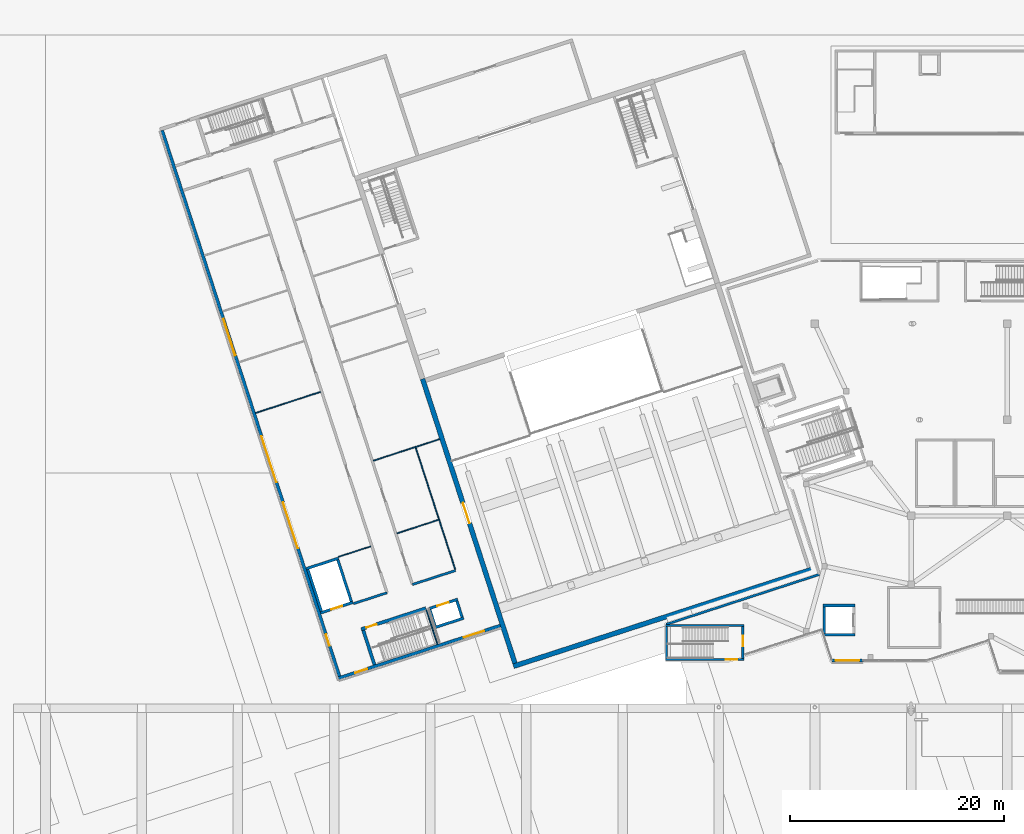
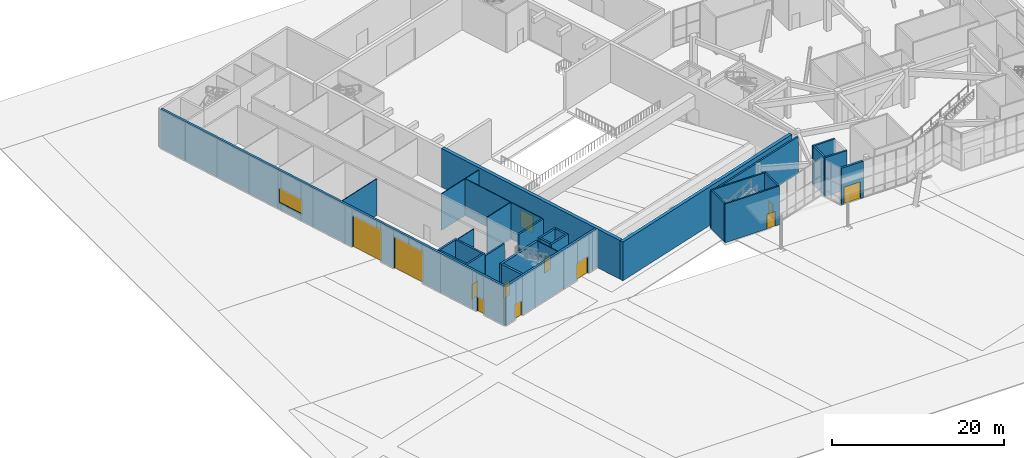
# One storey, part 51 of 72: 32 walls, 12 doors, 1 window, 13 openings.
"""IFC4 building model written with IfcOpenShell, lengths in metres."""

from ifc_helpers import new_model, si_unit, direction, frame, frame_2d, origin, place, context, subcontext, project, spatial, rectangle, extrude, material, layer, layer_set, type_object, element, fill, save


model = new_model("IFC4")

# Units and contexts
model_context = context("Model", 3, precision=1e-05, world=origin(), true_north=direction((0.0, 1.0)))
body_context = subcontext(model_context, "Body", "Model", "MODEL_VIEW")
ifc_project = project(units=[si_unit("LENGTHUNIT", "METRE"), si_unit("AREAUNIT", "SQUARE_METRE"), si_unit("VOLUMEUNIT", "CUBIC_METRE"), si_unit("PLANEANGLEUNIT", "RADIAN"), si_unit("MASSUNIT", "GRAM", prefix="KILO")], contexts=[model_context])

# Site, building, storey
site_placement = place(None, origin())
site = spatial("IfcSite", under=ifc_project, at=site_placement, CompositionType="ELEMENT")
building_placement = place(site_placement, origin())
building = spatial("IfcBuilding", under=site, at=building_placement, Name="Tuart Plaza Theatre", CompositionType="ELEMENT")
storey_placement = place(building_placement, origin())
storey = spatial("IfcBuildingStorey", under=building, at=storey_placement, Name="L00", CompositionType="ELEMENT", Elevation=0.0)

# Walls
ifc_material_1 = material(Name="Plasterboard on steel stud", Category="steel")
ifc_layer_1 = layer(ifc_material_1, 0.10009765625)
ifc_layer_set_1 = layer_set([ifc_layer_1], Name="PARTITION STD100")
wall_type_1 = type_object("IfcWallType", Name="PARTITION STD100", PredefinedType="PARTITIONING", material=ifc_layer_set_1)
wall_1_placement = place(storey_placement, frame((33.395751953125, 52.16650390625, 0.0), z_axis=(0.0, 0.0, 1.0), x_axis=(0.951044192343, 0.309054921027, 0.0)))
element("IfcWall", 1, at=wall_1_placement, inside=storey, type_object=wall_type_1, Name="P216", PredefinedType="PARTITIONING", context=body_context, shape_type="SweptSolid", body=[
    extrude(rectangle(XDim=3.18994140625, YDim=0.10009765625, at=frame_2d((1.594970703125, 0.0))), origin(), (0.0, 0.0, 1.0), 5.199951171875),
])
wall_2_placement = place(storey_placement, frame((38.892822265625, 54.373291015625, 0.0), z_axis=(0.0, 0.0, 1.0), x_axis=(0.951055560564, 0.309019935796, 0.0)))
element("IfcWall", 2, at=wall_2_placement, inside=storey, type_object=wall_type_1, Name="P217", PredefinedType="PARTITIONING", context=body_context, shape_type="SweptSolid", body=[
    extrude(rectangle(XDim=4.090087890625, YDim=0.10009765625, at=frame_2d((2.044921875, 0.0))), origin(), (0.0, 0.0, 1.0), 5.199951171875),
])
wall_3_placement = place(storey_placement, frame((36.683349609375, 61.17333984375, 0.0), z_axis=(0.0, 0.0, 1.0), x_axis=(0.95105616864, 0.309018064344, 0.0)))
element("IfcWall", 3, at=wall_3_placement, inside=storey, type_object=wall_type_1, Name="P218", PredefinedType="PARTITIONING", context=body_context, shape_type="SweptSolid", body=[
    extrude(rectangle(XDim=4.139892578125, YDim=0.10009765625, at=frame_2d((2.06982421875, 0.0))), origin(), (0.0, 0.0, 1.0), 5.199951171875),
])
wall_4_placement = place(storey_placement, frame((25.6552734375, 65.6337890625, 0.0), z_axis=(0.0, 0.0, 1.0), x_axis=(0.951055405517, 0.309020412977, 0.0)))
element("IfcWall", 4, at=wall_4_placement, inside=storey, type_object=wall_type_1, Name="P220", PredefinedType="PARTITIONING", context=body_context, shape_type="SweptSolid", body=[
    extrude(rectangle(XDim=6.389892578125, YDim=0.10009765625, at=frame_2d((3.19482421875, 0.0))), origin(), (0.0, 0.0, 1.0), 5.199951171875),
])
ifc_material_2 = material(Name="Plasterboard on steel stud", Category="steel")
ifc_layer_2 = layer(ifc_material_2, 0.10009765625)
ifc_layer_set_2 = layer_set([ifc_layer_2], Name="PARTITION STD100 FRL 120/-/-")
wall_type_2 = type_object("IfcWallType", Name="PARTITION STD100 FRL 120/-/-", PredefinedType="PARTITIONING", material=ifc_layer_set_2)
wall_5_placement = place(storey_placement, frame((40.62060546875, 62.45263671875, 0.0), z_axis=(0.0, 0.0, 1.0), x_axis=(0.951061260164, 0.309002393867, 0.0)))
element("IfcWall", 5, at=wall_5_placement, inside=storey, type_object=wall_type_2, Name="P219", PredefinedType="PARTITIONING", context=body_context, shape_type="SweptSolid", body=[
    extrude(rectangle(XDim=2.375, YDim=0.10009765625, at=frame_2d((1.1875, 0.0))), origin(), (0.0, 0.0, 1.0), 5.199951171875),
])
wall_6_placement = place(storey_placement, frame((44.34130859375, 51.001953125, 0.0), z_axis=(0.0, 0.0, 1.0), x_axis=(-0.309016547708, 0.951056661426, 0.0)))
element("IfcWall", 6, at=wall_6_placement, inside=storey, type_object=wall_type_2, Name="P231", PredefinedType="PARTITIONING", context=body_context, shape_type="SweptSolid", body=[
    extrude(rectangle(XDim=11.989990234375, YDim=0.10009765625, at=frame_2d((5.9951171875, 0.0))), origin(), (0.0, 0.0, 1.0), 5.199951171875),
])
ifc_material_3 = material(Name="Plasterboard on steel stud", Category="steel")
ifc_layer_3 = layer(ifc_material_3, 0.10009765625)
ifc_layer_set_3 = layer_set([ifc_layer_3], Name="PARTITION STD100 FRL 120/120/120")
wall_type_3 = type_object("IfcWallType", Name="PARTITION STD100 FRL 120/120/120", PredefinedType="PARTITIONING", material=ifc_layer_set_3)
wall_7_placement = place(storey_placement, frame((42.678466796875, 43.984619140625, 0.0), z_axis=(0.0, 0.0, 1.0), x_axis=(-0.309045481752, 0.951047259714, 0.0)))
element("IfcWall", 7, at=wall_7_placement, inside=storey, type_object=wall_type_3, Name="P228", PredefinedType="PARTITIONING", context=body_context, shape_type="SweptSolid", body=[
    extrude(rectangle(XDim=3.400146484375, YDim=0.10009765625, at=frame_2d((1.7001953125, 0.0))), origin(), (0.0, 0.0, 1.0), 5.199951171875),
])
ifc_material_4 = material(Name="Concrete N40 (40 MPa)", Category="concrete")
ifc_layer_4 = layer(ifc_material_4, 0.199951171875)
ifc_layer_set_4 = layer_set([ifc_layer_4], Name="SHEAR WALL RC200 FRL 120/120/120")
wall_type_4 = type_object("IfcWallType", Name="SHEAR WALL RC200 FRL 120/120/120", PredefinedType="SHEAR", material=ifc_layer_set_4)
wall_8_placement = place(storey_placement, frame((71.35009765625, 45.75, 0.0), z_axis=(0.0, 0.0, 1.0), x_axis=(-1.0, 0.0, 0.0)))
element("IfcWall", 8, at=wall_8_placement, inside=storey, type_object=wall_type_4, Name="W251", PredefinedType="SHEAR", context=body_context, shape_type="SweptSolid", body=[
    extrude(rectangle(XDim=7.35009765625, YDim=0.199951171875, at=frame_2d((3.675048828125, 0.0))), origin(), (0.0, 0.0, 1.0), 5.5),
])
wall_9_placement = place(storey_placement, frame((64.10009765625, 45.64990234375, 0.0), z_axis=(0.0, 0.0, 1.0), x_axis=(0.0, -1.0, 0.0)))
element("IfcWall", 9, at=wall_9_placement, inside=storey, type_object=wall_type_4, Name="W252", PredefinedType="SHEAR", context=body_context, shape_type="SweptSolid", body=[
    extrude(rectangle(XDim=3.0, YDim=0.199951171875, at=frame_2d((1.5, 0.0))), origin(), (0.0, 0.0, 1.0), 5.5),
])

# Wall, opening, door
wall_10_placement = place(storey_placement, frame((71.25, 42.64990234375, 0.0), z_axis=(0.0, 0.0, 1.0), x_axis=(0.0, 1.0, 0.0)))
wall_10 = element("IfcWall", 10, at=wall_10_placement, inside=storey, type_object=wall_type_4, Name="W253", PredefinedType="SHEAR", context=body_context, shape_type="SweptSolid", body=[
    extrude(rectangle(XDim=3.0, YDim=0.199951171875, at=frame_2d((1.5, 0.0))), origin(), (0.0, 0.0, 1.0), 5.5),
])
opening_1_placement = place(wall_10_placement, frame((1.14990234375, 0.0, 0.0)))
opening_1 = element("IfcOpeningElement", 11, at=opening_1_placement, cuts=wall_10, Name="Opening L00-058", PredefinedType="OPENING", context=body_context, shape_type="SweptSolid", body=[
    extrude(rectangle(XDim=1.0, YDim=2.10009765625, at=frame_2d((0.5, 1.050048828125))), frame((0.0, 0.10986328125, 0.0), z_axis=(0.0, -1.0, 0.0), x_axis=(1.0, 0.0, 0.0)), (0.0, 0.0, 1.0), 0.219970703125),
])
ifc_material_5 = material(Name="Steel Grade 300", Category="steel")
door_type_1 = type_object("IfcDoorType", Name="DOOR 1000x2100 steel single swing FRL -/120/30", OperationType="SINGLE_SWING_LEFT", PredefinedType="DOOR", material=ifc_material_5)
door_1_placement = place(opening_1_placement, origin())
door_1 = element("IfcDoor", 12, at=door_1_placement, inside=storey, type_object=door_type_1, Name="L00-058", OperationType="SINGLE_SWING_LEFT", OverallHeight=2.10009765625, OverallWidth=1.0, PredefinedType="DOOR", context=body_context, shape_type="SweptSolid", body=[
    extrude(rectangle(XDim=1.0, YDim=2.10009765625, at=frame_2d((0.5, 1.050048828125))), frame((0.0, 0.02490234375, 0.0), z_axis=(0.0, -1.0, 0.0), x_axis=(1.0, 0.0, 0.0)), (0.0, 0.0, 1.0), 0.050048828125),
])
fill(opening_1, door_1)

ifc_material_6 = material(Name="Concrete N40 (40 MPa)", Category="concrete")
ifc_layer_5 = layer(ifc_material_6, 0.199951171875)
ifc_layer_set_5 = layer_set([ifc_layer_5], Name="SHEAR WALL RC200 FRL 120/120/120 EXT")
wall_type_5 = type_object("IfcWallType", Name="SHEAR WALL RC200 FRL 120/120/120 EXT", PredefinedType="SHEAR", material=ifc_layer_set_5)
wall_11_placement = place(storey_placement, frame((64.0, 42.550048828125, 0.0), z_axis=(0.0, 0.0, 1.0), x_axis=(1.0, 0.0, 0.0)))
wall_11 = element("IfcWall", 13, at=wall_11_placement, inside=storey, type_object=wall_type_5, Name="W250", PredefinedType="SHEAR", context=body_context, shape_type="SweptSolid", body=[
    extrude(rectangle(XDim=7.35009765625, YDim=0.199951171875, at=frame_2d((3.675048828125, 0.0))), origin(), (0.0, 0.0, 1.0), 5.5),
])
opening_2_placement = place(wall_11_placement, frame((5.64990234375, 0.0, 0.0)))
opening_2 = element("IfcOpeningElement", 14, at=opening_2_placement, cuts=wall_11, Name="Opening L00-059", PredefinedType="OPENING", context=body_context, shape_type="SweptSolid", body=[
    extrude(rectangle(XDim=1.10009765625, YDim=2.10009765625, at=frame_2d((0.550048828125, 1.050048828125))), frame((0.0, 0.10986328125, 0.0), z_axis=(0.0, -1.0, 0.0), x_axis=(1.0, 0.0, 0.0)), (0.0, 0.0, 1.0), 0.219970703125),
])
ifc_material_7 = material(Name="Steel Grade 300", Category="steel")
door_type_2 = type_object("IfcDoorType", Name="DOOR 1100x2100 steel single swing FRL -/120/30", OperationType="SINGLE_SWING_LEFT", PredefinedType="DOOR", material=ifc_material_7)
door_2_placement = place(opening_2_placement, frame((1.10009765625, 0.0, 0.0), z_axis=(0.0, 0.0, 1.0), x_axis=(-1.0, 0.0, 0.0)))
door_2 = element("IfcDoor", 15, at=door_2_placement, inside=storey, type_object=door_type_2, Name="L00-059", OperationType="SINGLE_SWING_RIGHT", OverallHeight=2.10009765625, OverallWidth=1.10009765625, PredefinedType="DOOR", context=body_context, shape_type="SweptSolid", body=[
    extrude(rectangle(XDim=1.10009765625, YDim=2.10009765625, at=frame_2d((0.550048828125, 1.050048828125))), frame((0.0, 0.02490234375, 0.0), z_axis=(0.0, -1.0, 0.0), x_axis=(1.0, 0.0, 0.0)), (0.0, 0.0, 1.0), 0.050048828125),
])
fill(opening_2, door_2)

# Walls
ifc_material_8 = material(Name="Concrete N40 (40 MPa)", Category="concrete")
ifc_layer_6 = layer(ifc_material_8, 0.25)
ifc_layer_set_6 = layer_set([ifc_layer_6], Name="SHEAR WALL RC250 FRL 120/120/120")
wall_type_6 = type_object("IfcWallType", Name="SHEAR WALL RC250 FRL 120/120/120", PredefinedType="SHEAR", material=ifc_layer_set_6)
wall_12_placement = place(storey_placement, frame((42.3818359375, 45.54443359375, 0.0), z_axis=(0.0, 0.0, 1.0), x_axis=(0.951071801089, 0.308969948659, 0.0)))
element("IfcWall", 16, at=wall_12_placement, inside=storey, type_object=wall_type_6, Name="W172", PredefinedType="SHEAR", context=body_context, shape_type="SweptSolid", body=[
    extrude(rectangle(XDim=2.89990234375, YDim=0.25, at=frame_2d((1.449951171875, 0.0))), origin(), (0.0, 0.0, 1.0), 5.5),
])
wall_13_placement = place(storey_placement, frame((44.982421875, 46.520751953125, 0.0), z_axis=(0.0, 0.0, 1.0), x_axis=(-0.308986014439, 0.951066581729, 0.0)))
element("IfcWall", 17, at=wall_13_placement, inside=storey, type_object=wall_type_6, Name="W173", PredefinedType="SHEAR", context=body_context, shape_type="SweptSolid", body=[
    extrude(rectangle(XDim=1.60009765625, YDim=0.25, at=frame_2d((0.800048828125, 0.0))), origin(), (0.0, 0.0, 1.0), 5.5),
])

# Wall, opening, door
wall_14_placement = place(storey_placement, frame((44.568359375, 48.199951171875, 0.0), z_axis=(0.0, 0.0, 1.0), x_axis=(-0.951047059821, -0.309046096893, 0.0)))
wall_14 = element("IfcWall", 18, at=wall_14_placement, inside=storey, type_object=wall_type_6, Name="W174", PredefinedType="SHEAR", context=body_context, shape_type="SweptSolid", body=[
    extrude(rectangle(XDim=2.89990234375, YDim=0.25, at=frame_2d((1.449951171875, 0.0))), origin(), (0.0, 0.0, 1.0), 5.5),
])
opening_3_placement = place(wall_14_placement, frame((0.89990234375, 0.0, 0.0)))
opening_3 = element("IfcOpeningElement", 19, at=opening_3_placement, cuts=wall_14, Name="Opening L00-001", PredefinedType="OPENING", context=body_context, shape_type="SweptSolid", body=[
    extrude(rectangle(XDim=1.10009765625, YDim=2.10009765625, at=frame_2d((0.550048828125, 1.050048828125))), frame((0.0, 0.135009765625, 0.0), z_axis=(0.0, -1.0, 0.0), x_axis=(1.0, 0.0, 0.0)), (0.0, 0.0, 1.0), 0.27001953125),
])
ifc_material_9 = material(Name="Steel Grade 300", Category="steel")
door_type_3 = type_object("IfcDoorType", Name="LANDING DOOR 1100x2100 steel sliding FRL -/120/30", OperationType="SLIDING_TO_LEFT", PredefinedType="DOOR", material=ifc_material_9)
door_3_placement = place(opening_3_placement, origin())
door_3 = element("IfcDoor", 20, at=door_3_placement, inside=storey, type_object=door_type_3, Name="L00-001", OperationType="SLIDING_TO_LEFT", OverallHeight=2.10009765625, OverallWidth=1.10009765625, PredefinedType="DOOR", context=body_context, shape_type="SweptSolid", body=[
    extrude(rectangle(XDim=1.10009765625, YDim=2.10009765625, at=frame_2d((0.550048828125, 1.050048828125))), frame((0.0, 0.02490234375, 0.0), z_axis=(0.0, -1.0, 0.0), x_axis=(1.0, 0.0, 0.0)), (0.0, 0.0, 1.0), 0.050048828125),
])
fill(opening_3, door_3)

# Wall
wall_15_placement = place(storey_placement, frame((41.9677734375, 47.2236328125, 0.0), z_axis=(0.0, 0.0, 1.0), x_axis=(0.308986014439, -0.951066581729, 0.0)))
element("IfcWall", 21, at=wall_15_placement, inside=storey, type_object=wall_type_6, Name="W175", PredefinedType="SHEAR", context=body_context, shape_type="SweptSolid", body=[
    extrude(rectangle(XDim=1.60009765625, YDim=0.25, at=frame_2d((0.800048828125, 0.0))), origin(), (0.0, 0.0, 1.0), 5.5),
])

# Wall, opening, door
wall_16_placement = place(storey_placement, frame((31.735107421875, 46.921630859375, 0.0), z_axis=(0.0, 0.0, 1.0), x_axis=(0.95104415986, 0.309055020985, 0.0)))
wall_16 = element("IfcWall", 22, at=wall_16_placement, inside=storey, type_object=wall_type_6, Name="W204", PredefinedType="SHEAR", context=body_context, shape_type="SweptSolid", body=[
    extrude(rectangle(XDim=3.2001953125, YDim=0.25, at=frame_2d((1.60009765625, 0.0))), origin(), (0.0, 0.0, 1.0), 5.5),
])
opening_4_placement = place(wall_16_placement, frame((1.050048828125, 0.0, 0.0)))
opening_4 = element("IfcOpeningElement", 23, at=opening_4_placement, cuts=wall_16, Name="Opening L00-002", PredefinedType="OPENING", context=body_context, shape_type="SweptSolid", body=[
    extrude(rectangle(XDim=1.10009765625, YDim=2.10009765625, at=frame_2d((0.550048828125, 1.050048828125))), frame((0.0, 0.135009765625, 0.0), z_axis=(0.0, -1.0, 0.0), x_axis=(1.0, 0.0, 0.0)), (0.0, 0.0, 1.0), 0.27001953125),
])
door_4_placement = place(opening_4_placement, origin())
door_4 = element("IfcDoor", 24, at=door_4_placement, inside=storey, type_object=door_type_3, Name="L00-002", OperationType="SLIDING_TO_LEFT", OverallHeight=2.10009765625, OverallWidth=1.10009765625, PredefinedType="DOOR", context=body_context, shape_type="SweptSolid", body=[
    extrude(rectangle(XDim=1.10009765625, YDim=2.10009765625, at=frame_2d((0.550048828125, 1.050048828125))), frame((0.0, 0.02490234375, 0.0), z_axis=(0.0, -1.0, 0.0), x_axis=(1.0, 0.0, 0.0)), (0.0, 0.0, 1.0), 0.050048828125),
])
fill(opening_4, door_4)

# Walls
wall_17_placement = place(storey_placement, frame((34.62109375, 47.990966796875, 0.0), z_axis=(0.0, 0.0, 1.0), x_axis=(-0.309055103076, 0.951044133184, 0.0)))
element("IfcWall", 25, at=wall_17_placement, inside=storey, type_object=wall_type_6, Name="W205", PredefinedType="SHEAR", context=body_context, shape_type="SweptSolid", body=[
    extrude(rectangle(XDim=4.099853515625, YDim=0.25, at=frame_2d((2.0498046875, 0.0))), origin(), (0.0, 0.0, 1.0), 5.5),
])
wall_18_placement = place(storey_placement, frame((33.434326171875, 52.047607421875, 0.0), z_axis=(0.0, 0.0, 1.0), x_axis=(-0.951066581729, -0.308986014439, 0.0)))
element("IfcWall", 26, at=wall_18_placement, inside=storey, type_object=wall_type_6, Name="W206", PredefinedType="SHEAR", context=body_context, shape_type="SweptSolid", body=[
    extrude(rectangle(XDim=3.199951171875, YDim=0.25, at=frame_2d((1.60009765625, 0.0))), origin(), (0.0, 0.0, 1.0), 5.5),
])
wall_19_placement = place(storey_placement, frame((30.54833984375, 50.978515625, 0.0), z_axis=(0.0, 0.0, 1.0), x_axis=(0.309055103076, -0.951044133184, 0.0)))
element("IfcWall", 27, at=wall_19_placement, inside=storey, type_object=wall_type_6, Name="W207", PredefinedType="SHEAR", context=body_context, shape_type="SweptSolid", body=[
    extrude(rectangle(XDim=4.099853515625, YDim=0.25, at=frame_2d((2.0498046875, 0.0))), origin(), (0.0, 0.0, 1.0), 5.5),
])
for number, where, z_axis, x_axis, name in (
    (28, (78.75, 44.875, 0.0), (0.0, 0.0, 1.0), (1.0, 0.0, 0.0), "W275"),
    (29, (81.75, 47.625, 0.0), (0.0, 0.0, 1.0), (-1.0, 0.0, 0.0), "W277"),
):
    element("IfcWall", number, at=place(storey_placement, frame(where, z_axis=z_axis, x_axis=x_axis)), inside=storey, type_object=wall_type_6, Name=name, PredefinedType="SHEAR", context=body_context, shape_type="SweptSolid", body=[
        extrude(rectangle(XDim=3.0, YDim=0.25, at=frame_2d((1.5, 0.0))), origin(), (0.0, 0.0, 1.0), 5.5),
    ])
wall_20_placement = place(storey_placement, frame((78.875, 47.5, 0.0), z_axis=(0.0, 0.0, 1.0), x_axis=(0.0, -1.0, 0.0)))
element("IfcWall", 30, at=wall_20_placement, inside=storey, type_object=wall_type_6, Name="W278", PredefinedType="SHEAR", context=body_context, shape_type="SweptSolid", body=[
    extrude(rectangle(XDim=2.5, YDim=0.25, at=frame_2d((1.25, 0.0))), origin(), (0.0, 0.0, 1.0), 5.5),
])
ifc_material_10 = material(Name="Concrete N50 (50 MPa)", Category="concrete")
ifc_layer_7 = layer(ifc_material_10, 0.449951171875)
ifc_layer_set_7 = layer_set([ifc_layer_7], Name="SHEAR WALL RC450 N50 FRL 120/120/120")
wall_type_7 = type_object("IfcWallType", Name="SHEAR WALL RC450 N50 FRL 120/120/120", PredefinedType="SHEAR", material=ifc_layer_set_7)
wall_21_placement = place(storey_placement, frame((49.7861328125, 41.930419921875, 0.0), z_axis=(0.0, 0.0, 1.0), x_axis=(0.951055937194, 0.309018776661, 0.0)))
element("IfcWall", 31, at=wall_21_placement, inside=storey, type_object=wall_type_7, Name="W24", PredefinedType="SHEAR", context=body_context, shape_type="SweptSolid", body=[
    extrude(rectangle(XDim=29.449951171875, YDim=0.449951171875, at=frame_2d((14.72509765625, 0.0))), origin(), (0.0, 0.0, 1.0), 5.5),
])

# Wall, opening, door
wall_22_placement = place(storey_placement, frame((49.930419921875, 42.2138671875, 0.0), z_axis=(0.0, 0.0, 1.0), x_axis=(-0.309016215614, 0.95105676933, 0.0)))
wall_22 = element("IfcWall", 32, at=wall_22_placement, inside=storey, type_object=wall_type_7, Name="W25", PredefinedType="SHEAR", context=body_context, shape_type="SweptSolid", body=[
    extrude(rectangle(XDim=27.97509765625, YDim=0.449951171875, at=frame_2d((13.987548828125, 0.0))), origin(), (0.0, 0.0, 1.0), 5.5),
])
opening_5_placement = place(wall_22_placement, frame((13.77490234375, 0.0, 0.0)))
opening_5 = element("IfcOpeningElement", 33, at=opening_5_placement, cuts=wall_22, Name="Opening L00-050", PredefinedType="OPENING", context=body_context, shape_type="SweptSolid", body=[
    extrude(rectangle(XDim=2.0, YDim=2.39990234375, at=frame_2d((1.0, 1.199951171875))), frame((0.0, 0.23486328125, 0.0), z_axis=(0.0, -1.0, 0.0), x_axis=(1.0, 0.0, 0.0)), (0.0, 0.0, 1.0), 0.469970703125),
])
ifc_material_11 = material(Name="Timber", Category="wood")
door_type_4 = type_object("IfcDoorType", Name="DOOR 2000x2400 timber double swing FRL -/120/30", OperationType="DOUBLE_DOOR_SINGLE_SWING", PredefinedType="DOOR", material=ifc_material_11)
door_5_placement = place(opening_5_placement, frame((2.0, 0.0, 0.0), z_axis=(0.0, 0.0, 1.0), x_axis=(-1.0, 0.0, 0.0)))
door_5 = element("IfcDoor", 34, at=door_5_placement, inside=storey, type_object=door_type_4, Name="L00-050", OperationType="DOUBLE_DOOR_SINGLE_SWING", OverallHeight=2.39990234375, OverallWidth=2.0, PredefinedType="DOOR", context=body_context, shape_type="SweptSolid", body=[
    extrude(rectangle(XDim=2.0, YDim=2.39990234375, at=frame_2d((1.0, 1.199951171875))), frame((0.0, 0.02490234375, 0.0), z_axis=(0.0, -1.0, 0.0), x_axis=(1.0, 0.0, 0.0)), (0.0, 0.0, 1.0), 0.050048828125),
])
fill(opening_5, door_5)

# Walls
ifc_material_12 = material(Name="Concrete N40 (40 MPa)", Category="concrete")
ifc_layer_8 = layer(ifc_material_12, 0.219970703125)
ifc_layer_set_8 = layer_set([ifc_layer_8], Name="WALL RC220 FRL 120/120/120")
wall_type_8 = type_object("IfcWallType", Name="WALL RC220 FRL 120/120/120", PredefinedType="SOLIDWALL", material=ifc_layer_set_8)
wall_23_placement = place(storey_placement, frame((64.080810546875, 45.859130859375, 0.0), z_axis=(0.0, 0.0, 1.0), x_axis=(0.950848496094, 0.309656483019, 0.0)))
element("IfcWall", 35, at=wall_23_placement, inside=storey, type_object=wall_type_8, Name="P47", PredefinedType="SOLIDWALL", context=body_context, shape_type="SweptSolid", body=[
    extrude(rectangle(XDim=15.08642578125, YDim=0.219970703125, at=frame_2d((7.543212890625, 0.0))), origin(), (0.0, 0.0, 1.0), 5.199951171875),
])
ifc_material_13 = material(Name="Concrete N40 (40 MPa)", Category="concrete")
ifc_layer_9 = layer(ifc_material_13, 0.219970703125)
ifc_layer_set_9 = layer_set([ifc_layer_9], Name="WALL RC220 LB FRL 120/120/120")
wall_type_9 = type_object("IfcWallType", Name="WALL RC220 LB FRL 120/120/120", PredefinedType="SOLIDWALL", material=ifc_layer_set_9)
wall_24_placement = place(storey_placement, frame((34.817138671875, 47.791748046875, 0.0), z_axis=(0.0, 0.0, 1.0), x_axis=(0.951053095941, 0.309027520945, 0.0)))
element("IfcWall", 36, at=wall_24_placement, inside=storey, type_object=wall_type_9, Name="W505", PredefinedType="SOLIDWALL", context=body_context, shape_type="SweptSolid", body=[
    extrude(rectangle(XDim=3.300048828125, YDim=0.219970703125, at=frame_2d((1.64990234375, 0.0))), origin(), (0.0, 0.0, 1.0), 5.199951171875),
])
wall_25_placement = place(storey_placement, frame((40.333251953125, 49.583984375, 0.0), z_axis=(0.0, 0.0, 1.0), x_axis=(0.951062770994, 0.308997743729, 0.0)))
element("IfcWall", 37, at=wall_25_placement, inside=storey, type_object=wall_type_9, Name="W506", PredefinedType="SOLIDWALL", context=body_context, shape_type="SweptSolid", body=[
    extrude(rectangle(XDim=4.25, YDim=0.219970703125, at=frame_2d((2.125, 0.0))), origin(), (0.0, 0.0, 1.0), 5.199951171875),
])

# Wall, opening, door
ifc_material_14 = material(Name="Concrete N40 (40 MPa)", Category="concrete")
ifc_layer_10 = layer(ifc_material_14, 0.300048828125)
ifc_layer_set_10 = layer_set([ifc_layer_10], Name="WALL RC300 EXT")
wall_type_10 = type_object("IfcWallType", Name="WALL RC300 EXT", PredefinedType="SOLIDWALL", material=ifc_layer_set_10)
wall_26_placement = place(storey_placement, frame((79.595947265625, 42.47802734375, 0.0), z_axis=(0.0, 0.0, 1.0), x_axis=(1.0, 0.0, 0.0)))
wall_26 = element("IfcWall", 38, at=wall_26_placement, inside=storey, type_object=wall_type_10, Name="P36", PredefinedType="SOLIDWALL", context=body_context, shape_type="SweptSolid", body=[
    extrude(rectangle(XDim=2.941162109375, YDim=0.300048828125, at=frame_2d((1.470703125, 0.0))), origin(), (0.0, 0.0, 1.0), 5.199951171875),
])
opening_6_placement = place(wall_26_placement, frame((0.345458984375, 0.0, 0.0)))
opening_6 = element("IfcOpeningElement", 39, at=opening_6_placement, cuts=wall_26, Name="Opening L00-006", PredefinedType="OPENING", context=body_context, shape_type="SweptSolid", body=[
    extrude(rectangle(XDim=2.199951171875, YDim=2.39990234375, at=frame_2d((1.10009765625, 1.199951171875))), frame((0.0, 0.159912109375, 0.0), z_axis=(0.0, -1.0, 0.0), x_axis=(1.0, 0.0, 0.0)), (0.0, 0.0, 1.0), 0.320068359375),
])
ifc_material_15 = material(Name="Aluminium", Category="aluminium")
door_type_5 = type_object("IfcDoorType", Name="DOOR 2200x2400 aluminium double swing glazed", OperationType="DOUBLE_DOOR_SINGLE_SWING", PredefinedType="DOOR", material=ifc_material_15)
door_6_placement = place(opening_6_placement, frame((2.199951171875, 0.0, 0.0), z_axis=(0.0, 0.0, 1.0), x_axis=(-1.0, 0.0, 0.0)))
door_6 = element("IfcDoor", 40, at=door_6_placement, inside=storey, type_object=door_type_5, Name="L00-006", OperationType="DOUBLE_DOOR_SINGLE_SWING", OverallHeight=2.39990234375, OverallWidth=2.199951171875, PredefinedType="DOOR", context=body_context, shape_type="SweptSolid", body=[
    extrude(rectangle(XDim=2.199951171875, YDim=2.39990234375, at=frame_2d((1.10009765625, 1.199951171875))), frame((0.0, 0.02490234375, 0.0), z_axis=(0.0, -1.0, 0.0), x_axis=(1.0, 0.0, 0.0)), (0.0, 0.0, 1.0), 0.050048828125),
])
fill(opening_6, door_6)

# Wall, openings, doors
ifc_material_16 = material(Name="Concrete N40 (40 MPa)", Category="concrete")
ifc_layer_11 = layer(ifc_material_16, 0.300048828125)
ifc_layer_set_11 = layer_set([ifc_layer_11], Name="WALL RC300 LB FRL 120/120/120")
wall_type_11 = type_object("IfcWallType", Name="WALL RC300 LB FRL 120/120/120", PredefinedType="SOLIDWALL", material=ifc_layer_set_11)
wall_27_placement = place(storey_placement, frame((48.550048828125, 45.734619140625, 0.0), z_axis=(0.0, 0.0, 1.0), x_axis=(-0.951061216338, -0.309002528757, 0.0)))
wall_27 = element("IfcWall", 41, at=wall_27_placement, inside=storey, type_object=wall_type_11, Name="W59", PredefinedType="SOLIDWALL", context=body_context, shape_type="SweptSolid", body=[
    extrude(rectangle(XDim=15.925048828125, YDim=0.300048828125, at=frame_2d((7.96240234375, 0.0))), origin(), (0.0, 0.0, 1.0), 5.5),
])
opening_7_placement = place(wall_27_placement, frame((13.074951171875, 0.0, 0.0)))
opening_7 = element("IfcOpeningElement", 42, at=opening_7_placement, cuts=wall_27, Name="Opening L00-040", PredefinedType="OPENING", context=body_context, shape_type="SweptSolid", body=[
    extrude(rectangle(XDim=1.199951171875, YDim=2.10009765625, at=frame_2d((0.60009765625, 1.050048828125))), frame((0.0, 0.159912109375, 0.0), z_axis=(0.0, -1.0, 0.0), x_axis=(1.0, 0.0, 0.0)), (0.0, 0.0, 1.0), 0.320068359375),
])
opening_8_placement = place(wall_27_placement, frame((1.574951171875, 0.0, 0.0)))
opening_8 = element("IfcOpeningElement", 43, at=opening_8_placement, cuts=wall_27, Name="Opening L00-042", PredefinedType="OPENING", context=body_context, shape_type="SweptSolid", body=[
    extrude(rectangle(XDim=2.0, YDim=2.39990234375, at=frame_2d((1.0, 1.199951171875))), frame((0.0, 0.159912109375, 0.0), z_axis=(0.0, -1.0, 0.0), x_axis=(1.0, 0.0, 0.0)), (0.0, 0.0, 1.0), 0.320068359375),
])
ifc_material_17 = material(Name="Steel Grade 300", Category="steel")
door_type_6 = type_object("IfcDoorType", Name="DOOR 1200x2100 steel single swing FRL -/120/30", OperationType="SINGLE_SWING_LEFT", PredefinedType="DOOR", material=ifc_material_17)
door_7_placement = place(opening_7_placement, origin())
door_7 = element("IfcDoor", 44, at=door_7_placement, inside=storey, type_object=door_type_6, Name="L00-040", OperationType="SINGLE_SWING_RIGHT", OverallHeight=2.10009765625, OverallWidth=1.199951171875, PredefinedType="DOOR", context=body_context, shape_type="SweptSolid", body=[
    extrude(rectangle(XDim=1.199951171875, YDim=2.10009765625, at=frame_2d((0.60009765625, 1.050048828125))), frame((0.0, 0.02490234375, 0.0), z_axis=(0.0, -1.0, 0.0), x_axis=(1.0, 0.0, 0.0)), (0.0, 0.0, 1.0), 0.050048828125),
])
fill(opening_7, door_7)
ifc_material_18 = material(Name="Steel Grade 300", Category="steel")
door_type_7 = type_object("IfcDoorType", Name="DOOR 2000x2400 steel double swing FRL -/120/30", OperationType="DOUBLE_DOOR_SINGLE_SWING", PredefinedType="DOOR", material=ifc_material_18)
door_8_placement = place(opening_8_placement, origin())
door_8 = element("IfcDoor", 45, at=door_8_placement, inside=storey, type_object=door_type_7, Name="L00-042", OperationType="DOUBLE_DOOR_SINGLE_SWING", OverallHeight=2.39990234375, OverallWidth=2.0, PredefinedType="DOOR", context=body_context, shape_type="SweptSolid", body=[
    extrude(rectangle(XDim=2.0, YDim=2.39990234375, at=frame_2d((1.0, 1.199951171875))), frame((0.0, 0.02490234375, 0.0), z_axis=(0.0, -1.0, 0.0), x_axis=(1.0, 0.0, 0.0)), (0.0, 0.0, 1.0), 0.050048828125),
])
fill(opening_8, door_8)

# Wall, openings, doors, window
wall_28_placement = place(storey_placement, frame((33.500732421875, 41.002685546875, 0.0), z_axis=(0.0, 0.0, 1.0), x_axis=(-0.309017194826, 0.951056451165, 0.0)))
wall_28 = element("IfcWall", 46, at=wall_28_placement, inside=storey, type_object=wall_type_11, Name="W60", PredefinedType="SOLIDWALL", context=body_context, shape_type="SweptSolid", body=[
    extrude(rectangle(XDim=53.699951171875, YDim=0.300048828125, at=frame_2d((26.85009765625, 0.0))), origin(), (0.0, 0.0, 1.0), 5.5),
])
opening_9_placement = place(wall_28_placement, frame((31.550048828125, 0.0, 0.89990234375)))
opening_9 = element("IfcOpeningElement", 47, at=opening_9_placement, cuts=wall_28, Name="Opening WN1", PredefinedType="OPENING", context=body_context, shape_type="SweptSolid", body=[
    extrude(rectangle(XDim=3.60009765625, YDim=2.10009765625, at=frame_2d((1.800048828125, 1.050048828125))), frame((0.0, 0.159912109375, 0.0), z_axis=(0.0, -1.0, 0.0), x_axis=(1.0, 0.0, 0.0)), (0.0, 0.0, 1.0), 0.320068359375),
])
opening_10_placement = place(wall_28_placement, frame((3.0, 0.0, 0.0)))
opening_10 = element("IfcOpeningElement", 48, at=opening_10_placement, cuts=wall_28, Name="Opening L00-017", PredefinedType="OPENING", context=body_context, shape_type="SweptSolid", body=[
    extrude(rectangle(XDim=1.10009765625, YDim=2.10009765625, at=frame_2d((0.550048828125, 1.050048828125))), frame((0.0, 0.159912109375, 0.0), z_axis=(0.0, -1.0, 0.0), x_axis=(1.0, 0.0, 0.0)), (0.0, 0.0, 1.0), 0.320068359375),
])
opening_11_placement = place(wall_28_placement, frame((12.60009765625, 0.0, 0.0)))
opening_11 = element("IfcOpeningElement", 49, at=opening_11_placement, cuts=wall_28, Name="Opening L00-043", PredefinedType="OPENING", context=body_context, shape_type="SweptSolid", body=[
    extrude(rectangle(XDim=4.5, YDim=4.5, at=frame_2d((2.25, 2.25))), frame((0.0, 0.159912109375, 0.0), z_axis=(0.0, -1.0, 0.0), x_axis=(1.0, 0.0, 0.0)), (0.0, 0.0, 1.0), 0.320068359375),
])
opening_12_placement = place(wall_28_placement, frame((19.10009765625, 0.0, 0.0)))
opening_12 = element("IfcOpeningElement", 50, at=opening_12_placement, cuts=wall_28, Name="Opening L00-044", PredefinedType="OPENING", context=body_context, shape_type="SweptSolid", body=[
    extrude(rectangle(XDim=4.5, YDim=4.5, at=frame_2d((2.25, 2.25))), frame((0.0, 0.159912109375, 0.0), z_axis=(0.0, -1.0, 0.0), x_axis=(1.0, 0.0, 0.0)), (0.0, 0.0, 1.0), 0.320068359375),
])
ifc_material_19 = material(Name="Timber", Category="wood")
door_type_8 = type_object("IfcDoorType", Name="DOOR 1100x2100 timber single swing FRL -/120/30", OperationType="SINGLE_SWING_LEFT", PredefinedType="DOOR", material=ifc_material_19)
door_9_placement = place(opening_10_placement, origin())
door_9 = element("IfcDoor", 51, at=door_9_placement, inside=storey, type_object=door_type_8, Name="L00-017", OperationType="SINGLE_SWING_RIGHT", OverallHeight=2.10009765625, OverallWidth=1.10009765625, PredefinedType="DOOR", context=body_context, shape_type="SweptSolid", body=[
    extrude(rectangle(XDim=1.10009765625, YDim=2.10009765625, at=frame_2d((0.550048828125, 1.050048828125))), frame((0.0, 0.02490234375, 0.0), z_axis=(0.0, -1.0, 0.0), x_axis=(1.0, 0.0, 0.0)), (0.0, 0.0, 1.0), 0.050048828125),
])
fill(opening_10, door_9)
ifc_material_20 = material(Name="Steel Grade 300", Category="steel")
door_type_9 = type_object("IfcDoorType", Name="DOOR 4500x4500 steel rolling shutter FRL -/120/30", OperationType="ROLLINGUP", PredefinedType="DOOR", material=ifc_material_20)
door_10_placement = place(opening_11_placement, origin())
door_10 = element("IfcDoor", 52, at=door_10_placement, inside=storey, type_object=door_type_9, Name="L00-043", OperationType="ROLLINGUP", OverallHeight=4.5, OverallWidth=4.5, PredefinedType="DOOR", context=body_context, shape_type="SweptSolid", body=[
    extrude(rectangle(XDim=4.5, YDim=4.5, at=frame_2d((2.25, 2.25))), frame((0.0, 0.02490234375, 0.0), z_axis=(0.0, -1.0, 0.0), x_axis=(1.0, 0.0, 0.0)), (0.0, 0.0, 1.0), 0.050048828125),
])
fill(opening_11, door_10)
door_11_placement = place(opening_12_placement, origin())
door_11 = element("IfcDoor", 53, at=door_11_placement, inside=storey, type_object=door_type_9, Name="L00-044", OperationType="ROLLINGUP", OverallHeight=4.5, OverallWidth=4.5, PredefinedType="DOOR", context=body_context, shape_type="SweptSolid", body=[
    extrude(rectangle(XDim=4.5, YDim=4.5, at=frame_2d((2.25, 2.25))), frame((0.0, 0.02490234375, 0.0), z_axis=(0.0, -1.0, 0.0), x_axis=(1.0, 0.0, 0.0)), (0.0, 0.0, 1.0), 0.050048828125),
])
fill(opening_12, door_11)
ifc_material_21 = material(Name="Aluminium and glass", Category="aluminium")
window_type = type_object("IfcWindowType", Name="WINDOW 3600x2100 sill 900 aluminium double", PartitioningType="SINGLE_PANEL", PredefinedType="WINDOW", material=ifc_material_21)
window_placement = place(opening_9_placement, origin())
window = element("IfcWindow", 54, at=window_placement, inside=storey, type_object=window_type, Name="WN1", OverallHeight=2.10009765625, OverallWidth=3.60009765625, PartitioningType="SINGLE_PANEL", PredefinedType="WINDOW", context=body_context, shape_type="SweptSolid", body=[
    extrude(rectangle(XDim=3.60009765625, YDim=2.10009765625, at=frame_2d((1.800048828125, 1.050048828125))), frame((0.0, 0.030029296875, 0.0), z_axis=(0.0, -1.0, 0.0), x_axis=(1.0, 0.0, 0.0)), (0.0, 0.0, 1.0), 0.06005859375),
])
fill(opening_9, window)

# Wall, opening, door
wall_29_placement = place(storey_placement, frame((41.581298828125, 47.36083984375, 0.0), z_axis=(0.0, 0.0, 1.0), x_axis=(-0.951058929949, -0.309009565815, 0.0)))
wall_29 = element("IfcWall", 55, at=wall_29_placement, inside=storey, type_object=wall_type_11, Name="W101", PredefinedType="SOLIDWALL", context=body_context, shape_type="SweptSolid", body=[
    extrude(rectangle(XDim=6.349853515625, YDim=0.300048828125, at=frame_2d((3.1748046875, 0.0))), origin(), (0.0, 0.0, 1.0), 5.199951171875),
])
opening_13_placement = place(wall_29_placement, frame((4.85009765625, 0.0, 0.0)))
opening_13 = element("IfcOpeningElement", 56, at=opening_13_placement, cuts=wall_29, Name="Opening L00-035", PredefinedType="OPENING", context=body_context, shape_type="SweptSolid", body=[
    extrude(rectangle(XDim=1.0, YDim=2.10009765625, at=frame_2d((0.5, 1.050048828125))), frame((0.0, 0.159912109375, 0.0), z_axis=(0.0, -1.0, 0.0), x_axis=(1.0, 0.0, 0.0)), (0.0, 0.0, 1.0), 0.320068359375),
])
ifc_material_22 = material(Name="Timber", Category="wood")
door_type_10 = type_object("IfcDoorType", Name="DOOR 1000x2100 timber single swing FRL -/120/30", OperationType="SINGLE_SWING_LEFT", PredefinedType="DOOR", material=ifc_material_22)
door_12_placement = place(opening_13_placement, origin())
door_12 = element("IfcDoor", 57, at=door_12_placement, inside=storey, type_object=door_type_10, Name="L00-035", OperationType="SINGLE_SWING_LEFT", OverallHeight=2.10009765625, OverallWidth=1.0, PredefinedType="DOOR", context=body_context, shape_type="SweptSolid", body=[
    extrude(rectangle(XDim=1.0, YDim=2.10009765625, at=frame_2d((0.5, 1.050048828125))), frame((0.0, 0.02490234375, 0.0), z_axis=(0.0, -1.0, 0.0), x_axis=(1.0, 0.0, 0.0)), (0.0, 0.0, 1.0), 0.050048828125),
])
fill(opening_13, door_12)

# Wall
wall_30_placement = place(storey_placement, frame((35.731201171875, 45.30224609375, 0.0), z_axis=(0.0, 0.0, 1.0), x_axis=(0.308980533303, -0.951068362443, 0.0)))
element("IfcWall", 58, at=wall_30_placement, inside=storey, type_object=wall_type_11, Name="W102", PredefinedType="SOLIDWALL", context=body_context, shape_type="SweptSolid", body=[
    extrude(rectangle(XDim=3.39990234375, YDim=0.300048828125, at=frame_2d((1.699951171875, 0.0))), origin(), (0.0, 0.0, 1.0), 5.199951171875),
])

save(model, "model.ifc")
